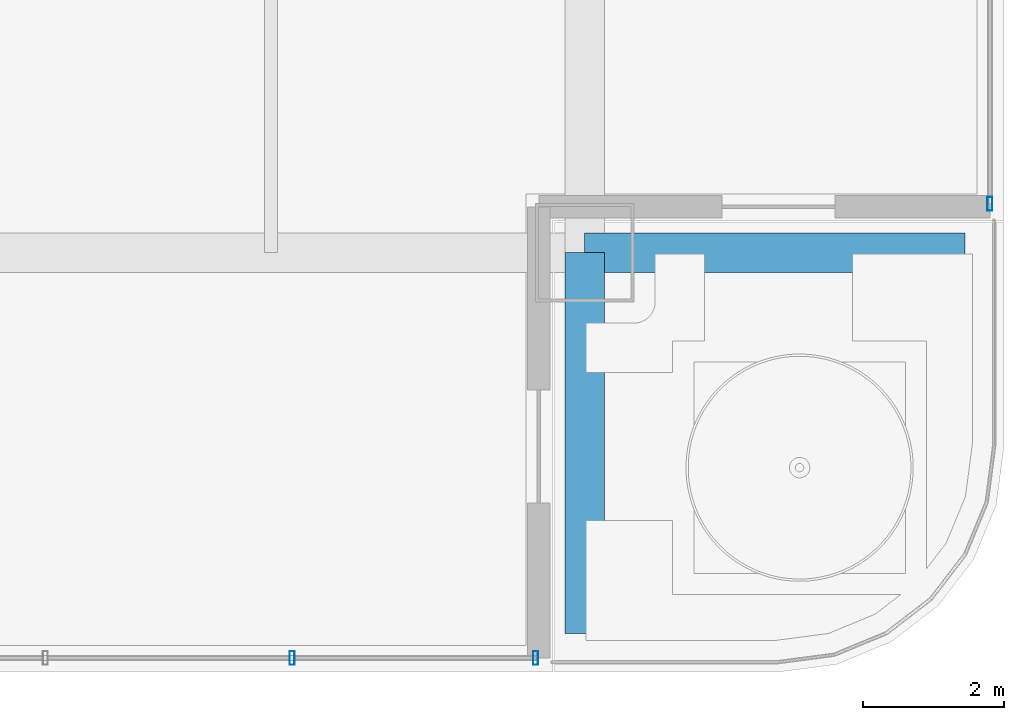
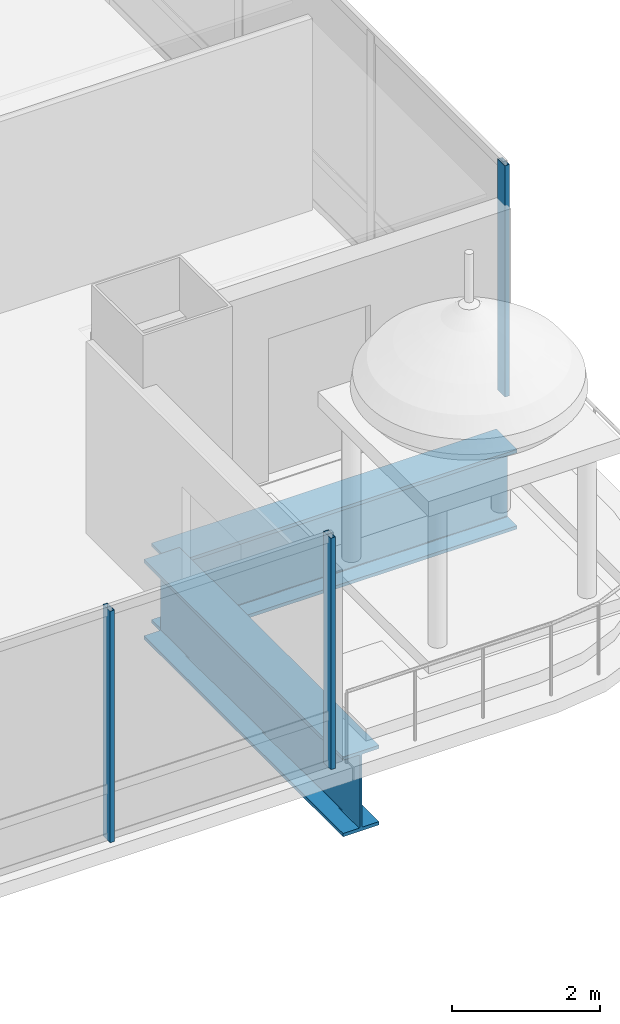
# One storey, part 12 of 41: 3 members, 2 beams, 2 elements without a shape of their own.
"""IFC4 building model written with IfcOpenShell, lengths in metres."""

from ifc_helpers import new_model, si_unit, direction, frame, origin, origin_2d, place, context, subcontext, project, spatial, hollow_rectangle, i_section, extrude, material, material_profile, profile_set, type_object, element, aggregate, save


model = new_model("IFC4")

# Units and contexts
model_context = context("Model", 3, precision=1e-05, world=origin(), true_north=direction((0.0, 1.0)))
body_context = subcontext(model_context, "Body", "Model", "MODEL_VIEW")
ifc_project = project(units=[si_unit("LENGTHUNIT", "METRE"), si_unit("AREAUNIT", "SQUARE_METRE"), si_unit("VOLUMEUNIT", "CUBIC_METRE"), si_unit("PLANEANGLEUNIT", "RADIAN"), si_unit("MASSUNIT", "GRAM", prefix="KILO")], contexts=[model_context])

# Site, building, storey
site_placement = place(None, origin())
site = spatial("IfcSite", under=ifc_project, at=site_placement, CompositionType="ELEMENT")
building_placement = place(site_placement, origin())
building = spatial("IfcBuilding", under=site, at=building_placement, Name="Punatoya Terracotta Tower", CompositionType="ELEMENT")
storey_placement = place(building_placement, frame((0.0, 0.0, 220.800048828125)))
storey = spatial("IfcBuildingStorey", under=building, at=storey_placement, Name="L52", CompositionType="ELEMENT", Elevation=220.800048828125)

# Beams
ifc_material_1 = material(Name="Steel S460", Category="steel")
ifc_material_profile_1 = material_profile(ifc_material_1, i_section(OverallWidth=0.56005859375, OverallDepth=1.320068359375, WebThickness=0.035888671875, FlangeThickness=0.054931640625, FilletRadius=0.01806640625, at=origin_2d()))
ifc_profile_set_1 = profile_set([ifc_material_profile_1], Name="Steel S460")
beam_type = type_object("IfcBeamType", Name="BM-TG-BLK", PredefinedType="BEAM", material=ifc_profile_set_1)
for number, where, z_axis, x_axis, name in (
    (1, (19.10009765625, -17.5, -0.880126953125), (0.0, -1.0, 0.0), (1.0, 0.0, 0.0), "BM-L52-SLT-SE-1"),
    (2, (19.10009765625, -17.5, -0.880126953125), (1.0, 0.0, 0.0), (0.0, 1.0, 0.0), "BM-L52-SLT-SE-2"),
):
    element("IfcBeam", number, at=place(storey_placement, frame(where, z_axis=z_axis, x_axis=x_axis)), inside=storey, type_object=beam_type, Name=name, PredefinedType="BEAM", context=body_context, shape_type="SweptSolid", body=[
        extrude(i_section(OverallWidth=0.56005859375, OverallDepth=1.320068359375, WebThickness=0.035888671875, FlangeThickness=0.054931640625, FilletRadius=0.01806640625, at=origin_2d()), origin(), (0.0, 0.0, 1.0), 5.39990234375),
    ])

# Curtain wall, members
ifc_material_2 = material(Name="Aluminium 6063-T6 + Double Low-E Glass", Category="aluminium")
curtain_wall_type = type_object("IfcCurtainWallType", Name="CW-M2", PredefinedType="NOTDEFINED", material=ifc_material_2)
curtain_wall_1_placement = place(storey_placement, origin())
curtain_wall_1 = element("IfcCurtainWall", 3, at=curtain_wall_1_placement, inside=storey, type_object=curtain_wall_type, Name="L52 Curtain Wall CW-L52-S01-2", PredefinedType="NOTDEFINED")
ifc_material_3 = material(Name="Aluminium 6063-T6", Category="aluminium")
ifc_material_profile_2 = material_profile(ifc_material_3, hollow_rectangle(XDim=0.072021484375, YDim=0.195068359375, WallThickness=0.00439453125, at=origin_2d()))
ifc_profile_set_2 = profile_set([ifc_material_profile_2], Name="Aluminium 6063-T6")
member_type = type_object("IfcMemberType", Name="CW-MUL-M2", PredefinedType="MULLION", material=ifc_profile_set_2)
member_1_placement = place(storey_placement, frame((14.949951171875, -23.25, 0.0), z_axis=(0.0, 0.0, 1.0), x_axis=(1.0, 0.0, 0.0)))
member_1 = element("IfcMember", 4, at=member_1_placement, type_object=member_type, Name="CW-L52-S01-2 Mullion 03", PredefinedType="MULLION", context=body_context, shape_type="SweptSolid", body=[
    extrude(hollow_rectangle(XDim=0.072021484375, YDim=0.195068359375, WallThickness=0.00439453125, at=origin_2d()), origin(), (0.0, 0.0, 1.0), 3.829833984375),
])
member_2_placement = place(storey_placement, frame((18.405029296875, -23.25, 0.0), z_axis=(0.0, 0.0, 1.0), x_axis=(1.0, 0.0, 0.0)))
member_2 = element("IfcMember", 5, at=member_2_placement, type_object=member_type, Name="CW-L52-S01-2 Mullion 04", PredefinedType="MULLION", context=body_context, shape_type="SweptSolid", body=[
    extrude(hollow_rectangle(XDim=0.072021484375, YDim=0.195068359375, WallThickness=0.00439453125, at=origin_2d()), origin(), (0.0, 0.0, 1.0), 3.829833984375),
])
aggregate(curtain_wall_1, [member_1, member_2])

# Curtain wall, member
curtain_wall_2_placement = place(storey_placement, origin())
curtain_wall_2 = element("IfcCurtainWall", 6, at=curtain_wall_2_placement, inside=storey, type_object=curtain_wall_type, Name="L52 Curtain Wall CW-L52-E04-1", PredefinedType="NOTDEFINED")
member_3_placement = place(storey_placement, frame((24.85009765625, -16.804931640625, 0.0), z_axis=(0.0, 0.0, 1.0), x_axis=(1.0, 0.0, 0.0)))
member_3 = element("IfcMember", 7, at=member_3_placement, type_object=member_type, Name="CW-L52-E04-1 Mullion 00", PredefinedType="MULLION", context=body_context, shape_type="SweptSolid", body=[
    extrude(hollow_rectangle(XDim=0.072021484375, YDim=0.195068359375, WallThickness=0.00439453125, at=origin_2d()), origin(), (0.0, 0.0, 1.0), 3.829833984375),
])
aggregate(curtain_wall_2, [member_3])

save(model, "model.ifc")
